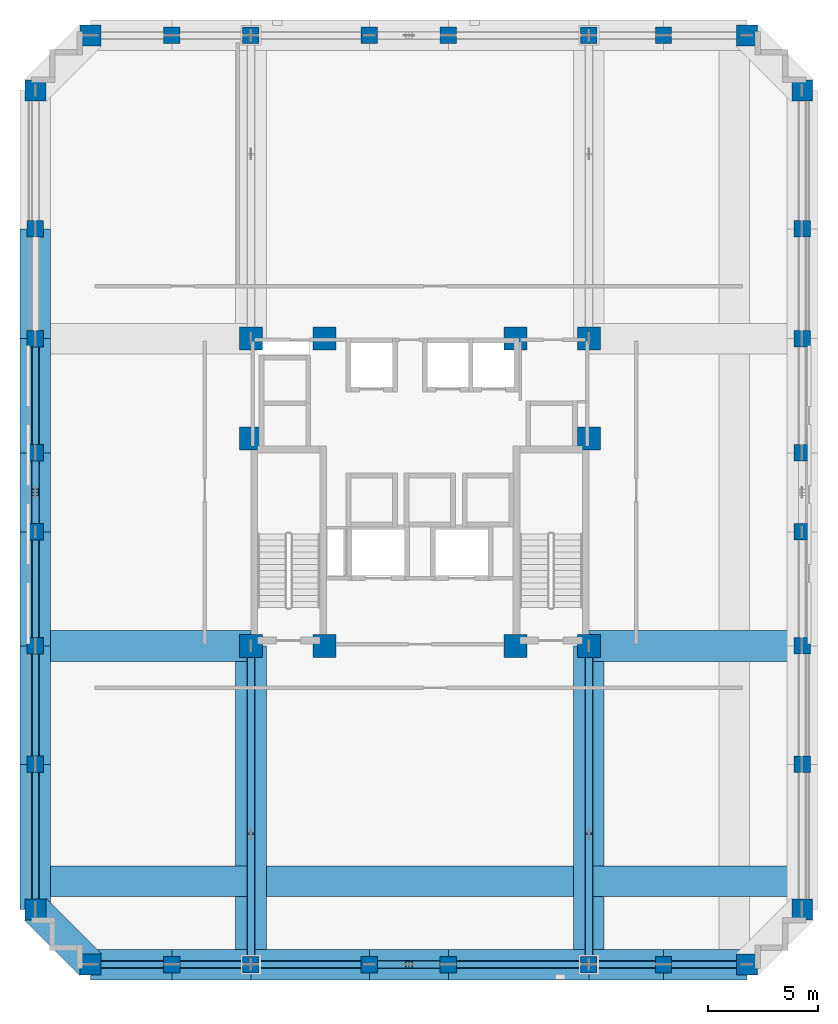
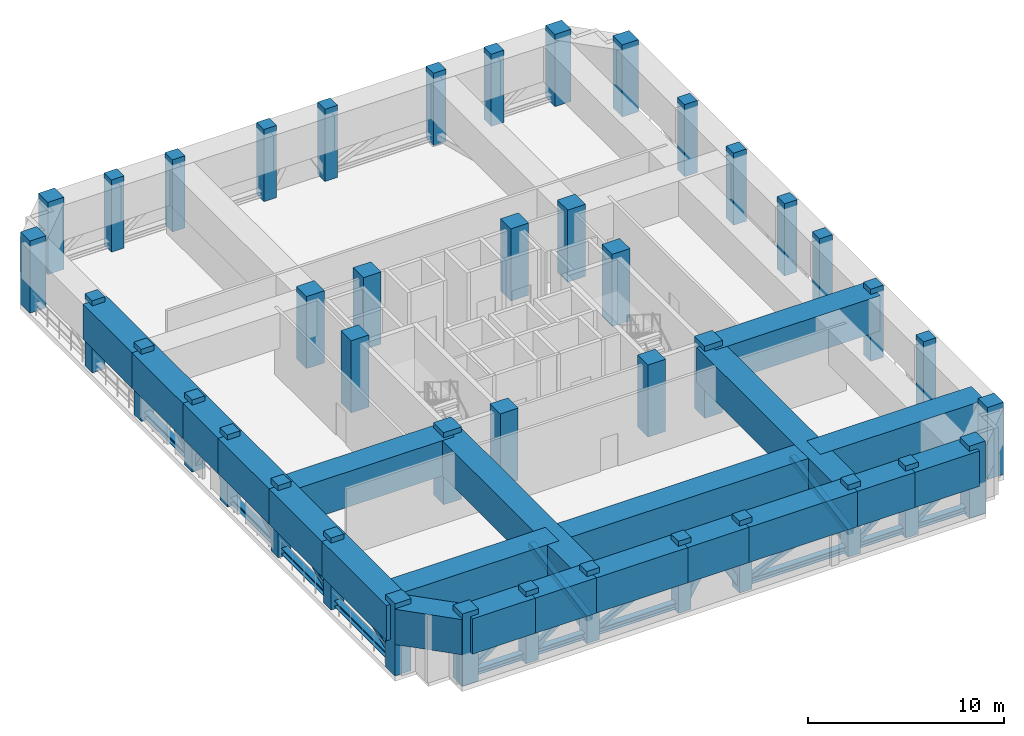
# One storey, part 1 of 11: 42 columns, 28 members, 21 beams.
"""IFC4 building model written with IfcOpenShell, lengths in metres."""

from ifc_helpers import new_model, si_unit, derived_unit, direction, frame, origin, origin_2d, place, context, subcontext, project, spatial, rectangle, hollow_rectangle, i_section, extrude, material, material_profile, profile_set, type_object, element, save


model = new_model("IFC4")

# Units and contexts
model_context = context("Model", 3, precision=1e-05, world=origin(), true_north=direction((0.0, 1.0)))
body_context = subcontext(model_context, "Body", "Model", "MODEL_VIEW")
ifc_project = project(units=[si_unit("LENGTHUNIT", "METRE"), si_unit("AREAUNIT", "SQUARE_METRE"), si_unit("VOLUMEUNIT", "CUBIC_METRE"), si_unit("PLANEANGLEUNIT", "RADIAN"), si_unit("MASSUNIT", "GRAM", prefix="KILO"), derived_unit("THERMALTRANSMITTANCEUNIT", [(si_unit("MASSUNIT", "GRAM", prefix="KILO"), 1), (si_unit("TIMEUNIT", "SECOND"), -3), (si_unit("THERMODYNAMICTEMPERATUREUNIT", "KELVIN"), -1)])], contexts=[model_context])

# Site, building, storey
site_placement = place(None, origin())
site = spatial("IfcSite", under=ifc_project, at=site_placement, CompositionType="ELEMENT")
building_placement = place(site_placement, origin())
building = spatial("IfcBuilding", under=site, at=building_placement, Name="Korrvale Station Residences", CompositionType="ELEMENT")
storey_placement = place(building_placement, frame((0.0, 0.0, 119.89990234375)))
storey = spatial("IfcBuildingStorey", under=building, at=storey_placement, Name="L34", CompositionType="ELEMENT", Elevation=119.89990234375)

# Columns
ifc_material_1 = material(Name="Concrete C60/75", Category="concrete")
ifc_material_profile_1 = material_profile(ifc_material_1, rectangle(XDim=1.050048828125, YDim=1.050048828125, at=origin_2d()), Name="RC1050x1050")
ifc_profile_set_1 = profile_set([ifc_material_profile_1], Name="Concrete C60/75")
column_type_1 = type_object("IfcColumnType", Name="COL-C-RC1050x1050-C6075", PredefinedType="COLUMN", material=ifc_profile_set_1)
for number, where, z_axis, x_axis, name in (
    (1, (17.800048828125, 15.0, 0.0), (0.0, 0.0, 1.0), (1.0, 0.0, 0.0), "L34 Core Column 01"),
    (2, (21.14990234375, 15.0, 0.0), (0.0, 0.0, 1.0), (1.0, 0.0, 0.0), "L34 Core Column 02"),
    (3, (29.85009765625, 15.0, 0.0), (0.0, 0.0, 1.0), (1.0, 0.0, 0.0), "L34 Core Column 03"),
    (4, (33.199951171875, 15.0, 0.0), (0.0, 0.0, 1.0), (1.0, 0.0, 0.0), "L34 Core Column 04"),
    (5, (17.800048828125, 29.0, 0.0), (0.0, 0.0, 1.0), (1.0, 0.0, 0.0), "L34 Core Column 05"),
    (6, (21.14990234375, 29.0, 0.0), (0.0, 0.0, 1.0), (1.0, 0.0, 0.0), "L34 Core Column 06"),
    (7, (29.85009765625, 29.0, 0.0), (0.0, 0.0, 1.0), (1.0, 0.0, 0.0), "L34 Core Column 07"),
    (8, (33.199951171875, 29.0, 0.0), (0.0, 0.0, 1.0), (1.0, 0.0, 0.0), "L34 Core Column 08"),
    (9, (17.800048828125, 24.449951171875, 0.0), (0.0, 0.0, 1.0), (1.0, 0.0, 0.0), "L34 Core Column 09"),
    (10, (33.199951171875, 24.449951171875, 0.0), (0.0, 0.0, 1.0), (1.0, 0.0, 0.0), "L34 Core Column 10"),
):
    element("IfcColumn", number, at=place(storey_placement, frame(where, z_axis=z_axis, x_axis=x_axis)), inside=storey, type_object=column_type_1, Name=name, PredefinedType="COLUMN", context=body_context, shape_type="SweptSolid", body=[
        extrude(rectangle(XDim=1.050048828125, YDim=1.050048828125, at=origin_2d()), origin(), (0.0, 0.0, 1.0), 4.5),
    ])
ifc_material_profile_2 = material_profile(ifc_material_1, rectangle(XDim=0.75, YDim=0.75, at=origin_2d()), Name="RC750x750")
ifc_profile_set_2 = profile_set([ifc_material_profile_2], Name="Concrete C60/75")
column_type_2 = type_object("IfcColumnType", Name="COL-C-RC750x750-C6075", PredefinedType="COLUMN", material=ifc_profile_set_2)
for number, where, z_axis, x_axis, name in (
    (11, (14.199951171875, 0.47998046875, 0.0), (0.0, 0.0, 1.0), (1.0, 0.0, 0.0), "L34 Bundled-Tube South Column 02"),
    (12, (17.800048828125, 0.47998046875, 0.0), (0.0, 0.0, 1.0), (1.0, 0.0, 0.0), "L34 Bundled-Tube South Column 03"),
    (13, (23.199951171875, 0.47998046875, 0.0), (0.0, 0.0, 1.0), (1.0, 0.0, 0.0), "L34 Bundled-Tube South Column 04"),
    (14, (26.800048828125, 0.47998046875, 0.0), (0.0, 0.0, 1.0), (1.0, 0.0, 0.0), "L34 Bundled-Tube South Column 05"),
    (15, (33.199951171875, 0.47998046875, 0.0), (0.0, 0.0, 1.0), (1.0, 0.0, 0.0), "L34 Bundled-Tube South Column 06"),
    (16, (36.60009765625, 0.47998046875, 0.0), (0.0, 0.0, 1.0), (1.0, 0.0, 0.0), "L34 Bundled-Tube South Column 07"),
    (17, (14.199951171875, 42.820068359375, 0.0), (0.0, 0.0, 1.0), (1.0, 0.0, 0.0), "L34 Bundled-Tube North Column 10"),
    (18, (17.800048828125, 42.820068359375, 0.0), (0.0, 0.0, 1.0), (1.0, 0.0, 0.0), "L34 Bundled-Tube North Column 11"),
    (19, (23.199951171875, 42.820068359375, 0.0), (0.0, 0.0, 1.0), (1.0, 0.0, 0.0), "L34 Bundled-Tube North Column 12"),
    (20, (26.800048828125, 42.820068359375, 0.0), (0.0, 0.0, 1.0), (1.0, 0.0, 0.0), "L34 Bundled-Tube North Column 13"),
    (21, (33.199951171875, 42.820068359375, 0.0), (0.0, 0.0, 1.0), (1.0, 0.0, 0.0), "L34 Bundled-Tube North Column 14"),
    (22, (36.60009765625, 42.820068359375, 0.0), (0.0, 0.0, 1.0), (1.0, 0.0, 0.0), "L34 Bundled-Tube North Column 15"),
    (23, (7.97998046875, 9.60009765625, 0.0), (0.0, 0.0, 1.0), (1.0, 0.0, 0.0), "L34 Bundled-Tube West Column 18"),
    (24, (7.97998046875, 15.0, 0.0), (0.0, 0.0, 1.0), (1.0, 0.0, 0.0), "L34 Bundled-Tube West Column 19"),
    (25, (7.97998046875, 20.199951171875, 0.0), (0.0, 0.0, 1.0), (1.0, 0.0, 0.0), "L34 Bundled-Tube West Column 20"),
    (26, (7.97998046875, 23.800048828125, 0.0), (0.0, 0.0, 1.0), (1.0, 0.0, 0.0), "L34 Bundled-Tube West Column 21"),
    (27, (7.97998046875, 29.0, 0.0), (0.0, 0.0, 1.0), (1.0, 0.0, 0.0), "L34 Bundled-Tube West Column 22"),
    (28, (7.97998046875, 34.0, 0.0), (0.0, 0.0, 1.0), (1.0, 0.0, 0.0), "L34 Bundled-Tube West Column 23"),
    (29, (42.919921875, 9.60009765625, 0.0), (0.0, 0.0, 1.0), (1.0, 0.0, 0.0), "L34 Bundled-Tube East Column 26"),
    (30, (42.919921875, 15.0, 0.0), (0.0, 0.0, 1.0), (1.0, 0.0, 0.0), "L34 Bundled-Tube East Column 27"),
    (31, (42.919921875, 20.199951171875, 0.0), (0.0, 0.0, 1.0), (1.0, 0.0, 0.0), "L34 Bundled-Tube East Column 28"),
    (32, (42.919921875, 23.800048828125, 0.0), (0.0, 0.0, 1.0), (1.0, 0.0, 0.0), "L34 Bundled-Tube East Column 29"),
    (33, (42.919921875, 29.0, 0.0), (0.0, 0.0, 1.0), (1.0, 0.0, 0.0), "L34 Bundled-Tube East Column 30"),
    (34, (42.919921875, 34.0, 0.0), (0.0, 0.0, 1.0), (1.0, 0.0, 0.0), "L34 Bundled-Tube East Column 31"),
):
    element("IfcColumn", number, at=place(storey_placement, frame(where, z_axis=z_axis, x_axis=x_axis)), inside=storey, type_object=column_type_2, Name=name, PredefinedType="COLUMN", context=body_context, shape_type="SweptSolid", body=[
        extrude(rectangle(XDim=0.75, YDim=0.75, at=origin_2d()), origin(), (0.0, 0.0, 1.0), 4.5),
    ])
ifc_material_profile_3 = material_profile(ifc_material_1, rectangle(XDim=0.949951171875, YDim=0.949951171875, at=origin_2d()), Name="RC950x950")
ifc_profile_set_3 = profile_set([ifc_material_profile_3], Name="Concrete C60/75")
column_type_3 = type_object("IfcColumnType", Name="COL-C-RC950x950-C6075", PredefinedType="COLUMN", material=ifc_profile_set_3)
for number, where, z_axis, x_axis, name in (
    (35, (10.5, 0.47998046875, 0.0), (0.0, 0.0, 1.0), (1.0, 0.0, 0.0), "L34 Bundled-Tube South Column 01"),
    (36, (40.39990234375, 0.47998046875, 0.0), (0.0, 0.0, 1.0), (1.0, 0.0, 0.0), "L34 Bundled-Tube South Column 08"),
    (37, (10.5, 42.820068359375, 0.0), (0.0, 0.0, 1.0), (1.0, 0.0, 0.0), "L34 Bundled-Tube North Column 09"),
    (38, (40.39990234375, 42.820068359375, 0.0), (0.0, 0.0, 1.0), (1.0, 0.0, 0.0), "L34 Bundled-Tube North Column 16"),
    (39, (7.97998046875, 3.0, 0.0), (0.0, 0.0, 1.0), (1.0, 0.0, 0.0), "L34 Bundled-Tube West Column 17"),
    (40, (7.97998046875, 40.300048828125, 0.0), (0.0, 0.0, 1.0), (1.0, 0.0, 0.0), "L34 Bundled-Tube West Column 24"),
    (41, (42.919921875, 3.0, 0.0), (0.0, 0.0, 1.0), (1.0, 0.0, 0.0), "L34 Bundled-Tube East Column 25"),
    (42, (42.919921875, 40.300048828125, 0.0), (0.0, 0.0, 1.0), (1.0, 0.0, 0.0), "L34 Bundled-Tube East Column 32"),
):
    element("IfcColumn", number, at=place(storey_placement, frame(where, z_axis=z_axis, x_axis=x_axis)), inside=storey, type_object=column_type_3, Name=name, PredefinedType="COLUMN", context=body_context, shape_type="SweptSolid", body=[
        extrude(rectangle(XDim=0.949951171875, YDim=0.949951171875, at=origin_2d()), origin(), (0.0, 0.0, 1.0), 4.5),
    ])

# Beams
ifc_material_profile_4 = material_profile(ifc_material_1, rectangle(XDim=1.39990234375, YDim=2.199951171875, at=origin_2d()), Name="RCB1400x2200")
ifc_profile_set_4 = profile_set([ifc_material_profile_4], Name="Concrete C60/75")
beam_type_1 = type_object("IfcBeamType", Name="BM-SPB-RCB1400x2200-C6075", PredefinedType="SPANDREL", material=ifc_profile_set_4)
beam_1_placement = place(storey_placement, frame((10.5, 0.47998046875, 3.080078125), z_axis=(1.0, 0.0, 0.0), x_axis=(0.0, 1.0, 0.0)))
element("IfcBeam", 43, at=beam_1_placement, inside=storey, type_object=beam_type_1, Name="L34 South Tube Spandrel 01", PredefinedType="SPANDREL", context=body_context, shape_type="SweptSolid", body=[
    extrude(rectangle(XDim=1.39990234375, YDim=2.199951171875, at=origin_2d()), origin(), (0.0, 0.0, 1.0), 3.699951171875),
])
beam_2_placement = place(storey_placement, frame((14.199951171875, 0.47998046875, 3.080078125), z_axis=(1.0, 0.0, 0.0), x_axis=(0.0, 1.0, 0.0)))
element("IfcBeam", 44, at=beam_2_placement, inside=storey, type_object=beam_type_1, Name="L34 South Tube Spandrel 02", PredefinedType="SPANDREL", context=body_context, shape_type="SweptSolid", body=[
    extrude(rectangle(XDim=1.39990234375, YDim=2.199951171875, at=origin_2d()), origin(), (0.0, 0.0, 1.0), 3.60009765625),
])
beam_3_placement = place(storey_placement, frame((17.800048828125, 0.47998046875, 3.080078125), z_axis=(1.0, 0.0, 0.0), x_axis=(0.0, 1.0, 0.0)))
element("IfcBeam", 45, at=beam_3_placement, inside=storey, type_object=beam_type_1, Name="L34 South Tube Spandrel 03", PredefinedType="SPANDREL", context=body_context, shape_type="SweptSolid", body=[
    extrude(rectangle(XDim=1.39990234375, YDim=2.199951171875, at=origin_2d()), origin(), (0.0, 0.0, 1.0), 5.39990234375),
])
beam_4_placement = place(storey_placement, frame((23.199951171875, 0.47998046875, 3.080078125), z_axis=(1.0, 0.0, 0.0), x_axis=(0.0, 1.0, 0.0)))
element("IfcBeam", 46, at=beam_4_placement, inside=storey, type_object=beam_type_1, Name="L34 South Tube Spandrel 04", PredefinedType="SPANDREL", context=body_context, shape_type="SweptSolid", body=[
    extrude(rectangle(XDim=1.39990234375, YDim=2.199951171875, at=origin_2d()), origin(), (0.0, 0.0, 1.0), 3.60009765625),
])
beam_5_placement = place(storey_placement, frame((26.800048828125, 0.47998046875, 3.080078125), z_axis=(1.0, 0.0, 0.0), x_axis=(0.0, 1.0, 0.0)))
element("IfcBeam", 47, at=beam_5_placement, inside=storey, type_object=beam_type_1, Name="L34 South Tube Spandrel 05", PredefinedType="SPANDREL", context=body_context, shape_type="SweptSolid", body=[
    extrude(rectangle(XDim=1.39990234375, YDim=2.199951171875, at=origin_2d()), origin(), (0.0, 0.0, 1.0), 6.39990234375),
])
beam_6_placement = place(storey_placement, frame((33.199951171875, 0.47998046875, 3.080078125), z_axis=(1.0, 0.0, 0.0), x_axis=(0.0, 1.0, 0.0)))
element("IfcBeam", 48, at=beam_6_placement, inside=storey, type_object=beam_type_1, Name="L34 South Tube Spandrel 06", PredefinedType="SPANDREL", context=body_context, shape_type="SweptSolid", body=[
    extrude(rectangle(XDim=1.39990234375, YDim=2.199951171875, at=origin_2d()), origin(), (0.0, 0.0, 1.0), 3.400146484375),
])
beam_7_placement = place(storey_placement, frame((36.60009765625, 0.47998046875, 3.080078125), z_axis=(1.0, 0.0, 0.0), x_axis=(0.0, 1.0, 0.0)))
element("IfcBeam", 49, at=beam_7_placement, inside=storey, type_object=beam_type_1, Name="L34 South Tube Spandrel 07", PredefinedType="SPANDREL", context=body_context, shape_type="SweptSolid", body=[
    extrude(rectangle(XDim=1.39990234375, YDim=2.199951171875, at=origin_2d()), origin(), (0.0, 0.0, 1.0), 3.7998046875),
])
beam_8_placement = place(storey_placement, frame((7.97998046875, 3.0, 3.080078125), z_axis=(0.0, 1.0, 0.0), x_axis=(-1.0, 0.0, 0.0)))
element("IfcBeam", 50, at=beam_8_placement, inside=storey, type_object=beam_type_1, Name="L34 West Tube Spandrel 15", PredefinedType="SPANDREL", context=body_context, shape_type="SweptSolid", body=[
    extrude(rectangle(XDim=1.39990234375, YDim=2.199951171875, at=origin_2d()), origin(), (0.0, 0.0, 1.0), 6.60009765625),
])
beam_9_placement = place(storey_placement, frame((7.97998046875, 9.60009765625, 3.080078125), z_axis=(0.0, 1.0, 0.0), x_axis=(-1.0, 0.0, 0.0)))
element("IfcBeam", 51, at=beam_9_placement, inside=storey, type_object=beam_type_1, Name="L34 West Tube Spandrel 16", PredefinedType="SPANDREL", context=body_context, shape_type="SweptSolid", body=[
    extrude(rectangle(XDim=1.39990234375, YDim=2.199951171875, at=origin_2d()), origin(), (0.0, 0.0, 1.0), 5.39990234375),
])
beam_10_placement = place(storey_placement, frame((7.97998046875, 15.0, 3.080078125), z_axis=(0.0, 1.0, 0.0), x_axis=(-1.0, 0.0, 0.0)))
element("IfcBeam", 52, at=beam_10_placement, inside=storey, type_object=beam_type_1, Name="L34 West Tube Spandrel 17", PredefinedType="SPANDREL", context=body_context, shape_type="SweptSolid", body=[
    extrude(rectangle(XDim=1.39990234375, YDim=2.199951171875, at=origin_2d()), origin(), (0.0, 0.0, 1.0), 5.199951171875),
])
beam_11_placement = place(storey_placement, frame((7.97998046875, 20.199951171875, 3.080078125), z_axis=(0.0, 1.0, 0.0), x_axis=(-1.0, 0.0, 0.0)))
element("IfcBeam", 53, at=beam_11_placement, inside=storey, type_object=beam_type_1, Name="L34 West Tube Spandrel 18", PredefinedType="SPANDREL", context=body_context, shape_type="SweptSolid", body=[
    extrude(rectangle(XDim=1.39990234375, YDim=2.199951171875, at=origin_2d()), origin(), (0.0, 0.0, 1.0), 3.60009765625),
])
beam_12_placement = place(storey_placement, frame((7.97998046875, 23.800048828125, 3.080078125), z_axis=(0.0, 1.0, 0.0), x_axis=(-1.0, 0.0, 0.0)))
element("IfcBeam", 54, at=beam_12_placement, inside=storey, type_object=beam_type_1, Name="L34 West Tube Spandrel 19", PredefinedType="SPANDREL", context=body_context, shape_type="SweptSolid", body=[
    extrude(rectangle(XDim=1.39990234375, YDim=2.199951171875, at=origin_2d()), origin(), (0.0, 0.0, 1.0), 5.199951171875),
])
beam_13_placement = place(storey_placement, frame((7.97998046875, 29.0, 3.080078125), z_axis=(0.0, 1.0, 0.0), x_axis=(-1.0, 0.0, 0.0)))
element("IfcBeam", 55, at=beam_13_placement, inside=storey, type_object=beam_type_1, Name="L34 West Tube Spandrel 20", PredefinedType="SPANDREL", context=body_context, shape_type="SweptSolid", body=[
    extrude(rectangle(XDim=1.39990234375, YDim=2.199951171875, at=origin_2d()), origin(), (0.0, 0.0, 1.0), 5.0),
])
beam_14_placement = place(storey_placement, frame((10.5, 0.47998046875, 3.080078125), z_axis=(-0.707106781187, 0.707106781187, 0.0), x_axis=(-0.707106781187, -0.707106781187, 0.0)))
element("IfcBeam", 56, at=beam_14_placement, inside=storey, type_object=beam_type_1, Name="L34 Serrated Corner Spandrel 29", PredefinedType="SPANDREL", context=body_context, shape_type="SweptSolid", body=[
    extrude(rectangle(XDim=1.39990234375, YDim=2.199951171875, at=origin_2d()), origin(), (0.0, 0.0, 1.0), 3.56396484375),
])
ifc_material_profile_5 = material_profile(ifc_material_1, rectangle(XDim=1.39990234375, YDim=2.199951171875, at=origin_2d()), Name="RCB1400x2200")
ifc_profile_set_5 = profile_set([ifc_material_profile_5], Name="Concrete C60/75")
beam_type_2 = type_object("IfcBeamType", Name="BM-TG-RCB1400x2200-C6075", PredefinedType="USERDEFINED", material=ifc_profile_set_5)
for number, where, z_axis, x_axis, name in (
    (57, (17.800048828125, 0.47998046875, 3.080078125), (0.0, 1.0, 0.0), (-1.0, 0.0, 0.0), "TG2 L34 Bundled-Tube Transfer Web Girder 01"),
    (58, (33.199951171875, 0.47998046875, 3.080078125), (0.0, 1.0, 0.0), (-1.0, 0.0, 0.0), "TG2 L34 Bundled-Tube Transfer Web Girder 02"),
):
    element("IfcBeam", number, at=place(storey_placement, frame(where, z_axis=z_axis, x_axis=x_axis)), inside=storey, type_object=beam_type_2, Name=name, ObjectType="TRANSFER GIRDER", PredefinedType="USERDEFINED", context=body_context, shape_type="SweptSolid", body=[
        extrude(rectangle(XDim=1.39990234375, YDim=2.199951171875, at=origin_2d()), origin(), (0.0, 0.0, 1.0), 14.52001953125),
    ])
beam_15_placement = place(storey_placement, frame((7.97998046875, 15.0, 3.080078125), z_axis=(1.0, 0.0, 0.0), x_axis=(0.0, 1.0, 0.0)))
element("IfcBeam", 59, at=beam_15_placement, inside=storey, type_object=beam_type_2, Name="TG2 L34 Bundled-Tube Transfer Web Girder 05", ObjectType="TRANSFER GIRDER", PredefinedType="USERDEFINED", context=body_context, shape_type="SweptSolid", body=[
    extrude(rectangle(XDim=1.39990234375, YDim=2.199951171875, at=origin_2d()), origin(), (0.0, 0.0, 1.0), 9.820068359375),
])
beam_16_placement = place(storey_placement, frame((33.199951171875, 15.0, 3.080078125), z_axis=(1.0, 0.0, 0.0), x_axis=(0.0, 1.0, 0.0)))
element("IfcBeam", 60, at=beam_16_placement, inside=storey, type_object=beam_type_2, Name="TG2 L34 Bundled-Tube Transfer Web Girder 06", ObjectType="TRANSFER GIRDER", PredefinedType="USERDEFINED", context=body_context, shape_type="SweptSolid", body=[
    extrude(rectangle(XDim=1.39990234375, YDim=2.199951171875, at=origin_2d()), origin(), (0.0, 0.0, 1.0), 9.719970703125),
])
beam_17_placement = place(storey_placement, frame((7.97998046875, 4.280029296875, 3.080078125), z_axis=(1.0, 0.0, 0.0), x_axis=(0.0, 1.0, 0.0)))
element("IfcBeam", 61, at=beam_17_placement, inside=storey, type_object=beam_type_2, Name="TG2 L34 Setback Perimeter Transfer Girder 01", ObjectType="TRANSFER GIRDER", PredefinedType="USERDEFINED", context=body_context, shape_type="SweptSolid", body=[
    extrude(rectangle(XDim=1.39990234375, YDim=2.199951171875, at=origin_2d()), origin(), (0.0, 0.0, 1.0), 9.820068359375),
])
beam_18_placement = place(storey_placement, frame((17.800048828125, 4.280029296875, 3.080078125), z_axis=(1.0, 0.0, 0.0), x_axis=(0.0, 1.0, 0.0)))
element("IfcBeam", 62, at=beam_18_placement, inside=storey, type_object=beam_type_2, Name="TG2 L34 Setback Perimeter Transfer Girder 02", ObjectType="TRANSFER GIRDER", PredefinedType="USERDEFINED", context=body_context, shape_type="SweptSolid", body=[
    extrude(rectangle(XDim=1.39990234375, YDim=2.199951171875, at=origin_2d()), origin(), (0.0, 0.0, 1.0), 15.39990234375),
])
beam_19_placement = place(storey_placement, frame((33.199951171875, 4.280029296875, 3.080078125), z_axis=(1.0, 0.0, 0.0), x_axis=(0.0, 1.0, 0.0)))
element("IfcBeam", 63, at=beam_19_placement, inside=storey, type_object=beam_type_2, Name="TG2 L34 Setback Perimeter Transfer Girder 03", ObjectType="TRANSFER GIRDER", PredefinedType="USERDEFINED", context=body_context, shape_type="SweptSolid", body=[
    extrude(rectangle(XDim=1.39990234375, YDim=2.199951171875, at=origin_2d()), origin(), (0.0, 0.0, 1.0), 9.719970703125),
])

# Members
ifc_material_2 = material(Name="Steel S355", Category="steel")
ifc_material_profile_6 = material_profile(ifc_material_2, hollow_rectangle(XDim=0.3046875, YDim=0.3046875, WallThickness=0.015869140625, InnerFilletRadius=0.015869140625, OuterFilletRadius=0.03173828125, at=origin_2d()), Name="HSS305x305x16")
ifc_profile_set_6 = profile_set([ifc_material_profile_6], Name="Steel S355")
member_type_1 = type_object("IfcMemberType", Name="MBR-BR-BT-HSS305x305x16", PredefinedType="BRACE", material=ifc_profile_set_6)
member_1_placement = place(storey_placement, frame((10.5, 0.47998046875, 0.35009765625), z_axis=(0.80259171482, 0.0, 0.596528741388), x_axis=(0.0, 1.0, 0.0)))
element("IfcMember", 64, at=member_1_placement, inside=storey, type_object=member_type_1, Name="L34 Belt Truss Web Diagonal 01", PredefinedType="BRACE", context=body_context, shape_type="SweptSolid", body=[
    extrude(hollow_rectangle(XDim=0.3046875, YDim=0.3046875, WallThickness=0.015869140625, InnerFilletRadius=0.015869140625, OuterFilletRadius=0.03173828125, at=origin_2d()), origin(), (0.0, 0.0, 1.0), 4.610107421875),
])
member_2_placement = place(storey_placement, frame((14.199951171875, 0.47998046875, 0.35009765625), z_axis=(0.794678950836, 0.0, 0.607029954036), x_axis=(0.0, 1.0, 0.0)))
element("IfcMember", 65, at=member_2_placement, inside=storey, type_object=member_type_1, Name="L34 Belt Truss Web Diagonal 02", PredefinedType="BRACE", context=body_context, shape_type="SweptSolid", body=[
    extrude(hollow_rectangle(XDim=0.3046875, YDim=0.3046875, WallThickness=0.015869140625, InnerFilletRadius=0.015869140625, OuterFilletRadius=0.03173828125, at=origin_2d()), origin(), (0.0, 0.0, 1.0), 4.5302734375),
])
member_3_placement = place(storey_placement, frame((17.800048828125, 0.47998046875, 0.35009765625), z_axis=(0.891099136061, 0.0, 0.453808692856), x_axis=(0.0, 1.0, 0.0)))
element("IfcMember", 66, at=member_3_placement, inside=storey, type_object=member_type_1, Name="L34 Belt Truss Web Diagonal 03", PredefinedType="BRACE", context=body_context, shape_type="SweptSolid", body=[
    extrude(hollow_rectangle(XDim=0.3046875, YDim=0.3046875, WallThickness=0.015869140625, InnerFilletRadius=0.015869140625, OuterFilletRadius=0.03173828125, at=origin_2d()), origin(), (0.0, 0.0, 1.0), 6.059814453125),
])
member_4_placement = place(storey_placement, frame((26.800048828125, 0.47998046875, 0.35009765625), z_axis=(0.918771165174, 0.0, 0.394790509061), x_axis=(0.0, 1.0, 0.0)))
element("IfcMember", 67, at=member_4_placement, inside=storey, type_object=member_type_1, Name="L34 Belt Truss Web Diagonal 04", PredefinedType="BRACE", context=body_context, shape_type="SweptSolid", body=[
    extrude(hollow_rectangle(XDim=0.3046875, YDim=0.3046875, WallThickness=0.015869140625, InnerFilletRadius=0.015869140625, OuterFilletRadius=0.03173828125, at=origin_2d()), origin(), (0.0, 0.0, 1.0), 6.9658203125),
])
member_5_placement = place(storey_placement, frame((33.199951171875, 0.47998046875, 0.35009765625), z_axis=(0.777524319182, 0.0, 0.628852870774), x_axis=(0.0, 1.0, 0.0)))
element("IfcMember", 68, at=member_5_placement, inside=storey, type_object=member_type_1, Name="L34 Belt Truss Web Diagonal 05", PredefinedType="BRACE", context=body_context, shape_type="SweptSolid", body=[
    extrude(hollow_rectangle(XDim=0.3046875, YDim=0.3046875, WallThickness=0.015869140625, InnerFilletRadius=0.015869140625, OuterFilletRadius=0.03173828125, at=origin_2d()), origin(), (0.0, 0.0, 1.0), 4.373046875),
])
member_6_placement = place(storey_placement, frame((36.60009765625, 0.47998046875, 0.35009765625), z_axis=(0.810102381804, 0.0, 0.58628843669), x_axis=(0.0, 1.0, 0.0)))
element("IfcMember", 69, at=member_6_placement, inside=storey, type_object=member_type_1, Name="L34 Belt Truss Web Diagonal 06", PredefinedType="BRACE", context=body_context, shape_type="SweptSolid", body=[
    extrude(hollow_rectangle(XDim=0.3046875, YDim=0.3046875, WallThickness=0.015869140625, InnerFilletRadius=0.015869140625, OuterFilletRadius=0.03173828125, at=origin_2d()), origin(), (0.0, 0.0, 1.0), 4.6904296875),
])
member_7_placement = place(storey_placement, frame((7.97998046875, 3.0, 0.35009765625), z_axis=(0.0, 0.923078943485, 0.3846105356), x_axis=(-1.0, 0.0, 0.0)))
element("IfcMember", 70, at=member_7_placement, inside=storey, type_object=member_type_1, Name="L34 Belt Truss Web Diagonal 13", PredefinedType="BRACE", context=body_context, shape_type="SweptSolid", body=[
    extrude(hollow_rectangle(XDim=0.3046875, YDim=0.3046875, WallThickness=0.015869140625, InnerFilletRadius=0.015869140625, OuterFilletRadius=0.03173828125, at=origin_2d()), origin(), (0.0, 0.0, 1.0), 7.150146484375),
])
member_8_placement = place(storey_placement, frame((7.97998046875, 9.60009765625, 0.35009765625), z_axis=(0.0, 0.891099136061, 0.453808692856), x_axis=(-1.0, 0.0, 0.0)))
element("IfcMember", 71, at=member_8_placement, inside=storey, type_object=member_type_1, Name="L34 Belt Truss Web Diagonal 14", PredefinedType="BRACE", context=body_context, shape_type="SweptSolid", body=[
    extrude(hollow_rectangle(XDim=0.3046875, YDim=0.3046875, WallThickness=0.015869140625, InnerFilletRadius=0.015869140625, OuterFilletRadius=0.03173828125, at=origin_2d()), origin(), (0.0, 0.0, 1.0), 6.059814453125),
])
for number, where, z_axis, x_axis, name in (
    (72, (7.97998046875, 15.0, 0.35009765625), (0.0, 0.883992771375, 0.467500567011), (-1.0, 0.0, 0.0), "L34 Belt Truss Web Diagonal 15"),
    (73, (7.97998046875, 23.800048828125, 0.35009765625), (0.0, 0.883992771375, 0.467500567011), (-1.0, 0.0, 0.0), "L34 Belt Truss Web Diagonal 16"),
):
    element("IfcMember", number, at=place(storey_placement, frame(where, z_axis=z_axis, x_axis=x_axis)), inside=storey, type_object=member_type_1, Name=name, PredefinedType="BRACE", context=body_context, shape_type="SweptSolid", body=[
        extrude(hollow_rectangle(XDim=0.3046875, YDim=0.3046875, WallThickness=0.015869140625, InnerFilletRadius=0.015869140625, OuterFilletRadius=0.03173828125, at=origin_2d()), origin(), (0.0, 0.0, 1.0), 5.88232421875),
    ])
ifc_material_profile_7 = material_profile(ifc_material_2, hollow_rectangle(XDim=0.355712890625, YDim=0.355712890625, WallThickness=0.015869140625, InnerFilletRadius=0.015869140625, OuterFilletRadius=0.03173828125, at=origin_2d()), Name="HSS356x356x16")
ifc_profile_set_7 = profile_set([ifc_material_profile_7], Name="Steel S355")
member_type_2 = type_object("IfcMemberType", Name="MBR-BR-HSS356x356x16", PredefinedType="BRACE", material=ifc_profile_set_7)
for number, where, z_axis, x_axis, name in (
    (74, (23.199951171875, 0.47998046875, 0.02001953125), (0.504568681787, 0.0, 0.863371556955), (0.0, 1.0, 0.0), "L34 S Perimeter Tube Wind Brace 1"),
    (75, (26.800048828125, 0.47998046875, 0.02001953125), (-0.504568681787, 0.0, 0.863371556955), (0.0, -1.0, 0.0), "L34 S Perimeter Tube Wind Brace 2"),
    (76, (7.97998046875, 20.199951171875, 0.02001953125), (0.0, 0.504568681787, 0.863371556955), (-1.0, 0.0, 0.0), "L34 W Perimeter Tube Wind Brace 1"),
    (77, (7.97998046875, 23.800048828125, 0.02001953125), (0.0, -0.504568681787, 0.863371556955), (1.0, 0.0, 0.0), "L34 W Perimeter Tube Wind Brace 2"),
):
    element("IfcMember", number, at=place(storey_placement, frame(where, z_axis=z_axis, x_axis=x_axis)), inside=storey, type_object=member_type_2, Name=name, PredefinedType="BRACE", context=body_context, shape_type="SweptSolid", body=[
        extrude(hollow_rectangle(XDim=0.355712890625, YDim=0.355712890625, WallThickness=0.015869140625, InnerFilletRadius=0.015869140625, OuterFilletRadius=0.03173828125, at=origin_2d()), origin(), (0.0, 0.0, 1.0), 3.5673828125),
    ])
ifc_material_profile_8 = material_profile(ifc_material_2, hollow_rectangle(XDim=0.355712890625, YDim=0.355712890625, WallThickness=0.015869140625, InnerFilletRadius=0.015869140625, OuterFilletRadius=0.03173828125, at=origin_2d()), Name="HSS356x356x16")
ifc_profile_set_8 = profile_set([ifc_material_profile_8], Name="Steel S355")
member_type_3 = type_object("IfcMemberType", Name="MBR-BR-OT-HSS356x356x16", PredefinedType="BRACE", material=ifc_profile_set_8)
member_9_placement = place(storey_placement, frame((17.800048828125, 0.47998046875, 1.25), z_axis=(0.0, 0.985942730302, 0.167083609506), x_axis=(-1.0, 0.0, 0.0)))
element("IfcMember", 78, at=member_9_placement, inside=storey, type_object=member_type_3, Name="L34 Outrigger Truss Diagonal 1A", PredefinedType="BRACE", context=body_context, shape_type="SweptSolid", body=[
    extrude(hollow_rectangle(XDim=0.355712890625, YDim=0.355712890625, WallThickness=0.015869140625, InnerFilletRadius=0.015869140625, OuterFilletRadius=0.03173828125, at=origin_2d()), origin(), (0.0, 0.0, 1.0), 6.044921875),
])
member_10_placement = place(storey_placement, frame((17.800048828125, 0.47998046875, 0.35009765625), z_axis=(0.0, 0.970922940355, 0.239392238581), x_axis=(-1.0, 0.0, 0.0)))
element("IfcMember", 79, at=member_10_placement, inside=storey, type_object=member_type_3, Name="L34 Outrigger Truss Diagonal 1B", PredefinedType="BRACE", context=body_context, shape_type="SweptSolid", body=[
    extrude(hollow_rectangle(XDim=0.355712890625, YDim=0.355712890625, WallThickness=0.015869140625, InnerFilletRadius=0.015869140625, OuterFilletRadius=0.03173828125, at=origin_2d()), origin(), (0.0, 0.0, 1.0), 14.954833984375),
])
member_11_placement = place(storey_placement, frame((33.199951171875, 0.47998046875, 1.25), z_axis=(0.0, 0.985942730302, 0.167083609506), x_axis=(-1.0, 0.0, 0.0)))
element("IfcMember", 80, at=member_11_placement, inside=storey, type_object=member_type_3, Name="L34 Outrigger Truss Diagonal 2A", PredefinedType="BRACE", context=body_context, shape_type="SweptSolid", body=[
    extrude(hollow_rectangle(XDim=0.355712890625, YDim=0.355712890625, WallThickness=0.015869140625, InnerFilletRadius=0.015869140625, OuterFilletRadius=0.03173828125, at=origin_2d()), origin(), (0.0, 0.0, 1.0), 6.044921875),
])
member_12_placement = place(storey_placement, frame((33.199951171875, 0.47998046875, 0.35009765625), z_axis=(0.0, 0.970922940355, 0.239392238581), x_axis=(-1.0, 0.0, 0.0)))
element("IfcMember", 81, at=member_12_placement, inside=storey, type_object=member_type_3, Name="L34 Outrigger Truss Diagonal 2B", PredefinedType="BRACE", context=body_context, shape_type="SweptSolid", body=[
    extrude(hollow_rectangle(XDim=0.355712890625, YDim=0.355712890625, WallThickness=0.015869140625, InnerFilletRadius=0.015869140625, OuterFilletRadius=0.03173828125, at=origin_2d()), origin(), (0.0, 0.0, 1.0), 14.954833984375),
])
ifc_material_profile_9 = material_profile(ifc_material_2, i_section(OverallWidth=0.3740234375, OverallDepth=0.3720703125, WebThickness=0.016357421875, FlangeThickness=0.026123046875, FilletRadius=0.014892578125, at=origin_2d()), Name="W360x196")
ifc_profile_set_9 = profile_set([ifc_material_profile_9], Name="Steel S355")
member_type_4 = type_object("IfcMemberType", Name="MBR-CHD-BT-W360x196", PredefinedType="CHORD", material=ifc_profile_set_9)
member_13_placement = place(storey_placement, frame((10.5, 0.47998046875, 0.35009765625), z_axis=(1.0, 0.0, 0.0), x_axis=(0.0, 1.0, 0.0)))
element("IfcMember", 82, at=member_13_placement, inside=storey, type_object=member_type_4, Name="L34 Belt Truss Bottom Chord 01", PredefinedType="CHORD", context=body_context, shape_type="SweptSolid", body=[
    extrude(i_section(OverallWidth=0.3740234375, OverallDepth=0.3720703125, WebThickness=0.016357421875, FlangeThickness=0.026123046875, FilletRadius=0.014892578125, at=origin_2d()), origin(), (0.0, 0.0, 1.0), 3.699951171875),
])
member_14_placement = place(storey_placement, frame((14.199951171875, 0.47998046875, 0.35009765625), z_axis=(1.0, 0.0, 0.0), x_axis=(0.0, 1.0, 0.0)))
element("IfcMember", 83, at=member_14_placement, inside=storey, type_object=member_type_4, Name="L34 Belt Truss Bottom Chord 02", PredefinedType="CHORD", context=body_context, shape_type="SweptSolid", body=[
    extrude(i_section(OverallWidth=0.3740234375, OverallDepth=0.3720703125, WebThickness=0.016357421875, FlangeThickness=0.026123046875, FilletRadius=0.014892578125, at=origin_2d()), origin(), (0.0, 0.0, 1.0), 3.60009765625),
])
member_15_placement = place(storey_placement, frame((17.800048828125, 0.47998046875, 0.35009765625), z_axis=(1.0, 0.0, 0.0), x_axis=(0.0, 1.0, 0.0)))
element("IfcMember", 84, at=member_15_placement, inside=storey, type_object=member_type_4, Name="L34 Belt Truss Bottom Chord 03", PredefinedType="CHORD", context=body_context, shape_type="SweptSolid", body=[
    extrude(i_section(OverallWidth=0.3740234375, OverallDepth=0.3720703125, WebThickness=0.016357421875, FlangeThickness=0.026123046875, FilletRadius=0.014892578125, at=origin_2d()), origin(), (0.0, 0.0, 1.0), 5.39990234375),
])
member_16_placement = place(storey_placement, frame((26.800048828125, 0.47998046875, 0.35009765625), z_axis=(1.0, 0.0, 0.0), x_axis=(0.0, 1.0, 0.0)))
element("IfcMember", 85, at=member_16_placement, inside=storey, type_object=member_type_4, Name="L34 Belt Truss Bottom Chord 04", PredefinedType="CHORD", context=body_context, shape_type="SweptSolid", body=[
    extrude(i_section(OverallWidth=0.3740234375, OverallDepth=0.3720703125, WebThickness=0.016357421875, FlangeThickness=0.026123046875, FilletRadius=0.014892578125, at=origin_2d()), origin(), (0.0, 0.0, 1.0), 6.39990234375),
])
member_17_placement = place(storey_placement, frame((33.199951171875, 0.47998046875, 0.35009765625), z_axis=(1.0, 0.0, 0.0), x_axis=(0.0, 1.0, 0.0)))
element("IfcMember", 86, at=member_17_placement, inside=storey, type_object=member_type_4, Name="L34 Belt Truss Bottom Chord 05", PredefinedType="CHORD", context=body_context, shape_type="SweptSolid", body=[
    extrude(i_section(OverallWidth=0.3740234375, OverallDepth=0.3720703125, WebThickness=0.016357421875, FlangeThickness=0.026123046875, FilletRadius=0.014892578125, at=origin_2d()), origin(), (0.0, 0.0, 1.0), 3.400146484375),
])
member_18_placement = place(storey_placement, frame((36.60009765625, 0.47998046875, 0.35009765625), z_axis=(1.0, 0.0, 0.0), x_axis=(0.0, 1.0, 0.0)))
element("IfcMember", 87, at=member_18_placement, inside=storey, type_object=member_type_4, Name="L34 Belt Truss Bottom Chord 06", PredefinedType="CHORD", context=body_context, shape_type="SweptSolid", body=[
    extrude(i_section(OverallWidth=0.3740234375, OverallDepth=0.3720703125, WebThickness=0.016357421875, FlangeThickness=0.026123046875, FilletRadius=0.014892578125, at=origin_2d()), origin(), (0.0, 0.0, 1.0), 3.7998046875),
])
member_19_placement = place(storey_placement, frame((7.97998046875, 3.0, 0.35009765625), z_axis=(0.0, 1.0, 0.0), x_axis=(-1.0, 0.0, 0.0)))
element("IfcMember", 88, at=member_19_placement, inside=storey, type_object=member_type_4, Name="L34 Belt Truss Bottom Chord 13", PredefinedType="CHORD", context=body_context, shape_type="SweptSolid", body=[
    extrude(i_section(OverallWidth=0.3740234375, OverallDepth=0.3720703125, WebThickness=0.016357421875, FlangeThickness=0.026123046875, FilletRadius=0.014892578125, at=origin_2d()), origin(), (0.0, 0.0, 1.0), 6.60009765625),
])
member_20_placement = place(storey_placement, frame((7.97998046875, 9.60009765625, 0.35009765625), z_axis=(0.0, 1.0, 0.0), x_axis=(-1.0, 0.0, 0.0)))
element("IfcMember", 89, at=member_20_placement, inside=storey, type_object=member_type_4, Name="L34 Belt Truss Bottom Chord 14", PredefinedType="CHORD", context=body_context, shape_type="SweptSolid", body=[
    extrude(i_section(OverallWidth=0.3740234375, OverallDepth=0.3720703125, WebThickness=0.016357421875, FlangeThickness=0.026123046875, FilletRadius=0.014892578125, at=origin_2d()), origin(), (0.0, 0.0, 1.0), 5.39990234375),
])
for number, where, z_axis, x_axis, name in (
    (90, (7.97998046875, 15.0, 0.35009765625), (0.0, 1.0, 0.0), (-1.0, 0.0, 0.0), "L34 Belt Truss Bottom Chord 15"),
    (91, (7.97998046875, 23.800048828125, 0.35009765625), (0.0, 1.0, 0.0), (-1.0, 0.0, 0.0), "L34 Belt Truss Bottom Chord 16"),
):
    element("IfcMember", number, at=place(storey_placement, frame(where, z_axis=z_axis, x_axis=x_axis)), inside=storey, type_object=member_type_4, Name=name, PredefinedType="CHORD", context=body_context, shape_type="SweptSolid", body=[
        extrude(i_section(OverallWidth=0.3740234375, OverallDepth=0.3720703125, WebThickness=0.016357421875, FlangeThickness=0.026123046875, FilletRadius=0.014892578125, at=origin_2d()), origin(), (0.0, 0.0, 1.0), 5.199951171875),
    ])

save(model, "model.ifc")
